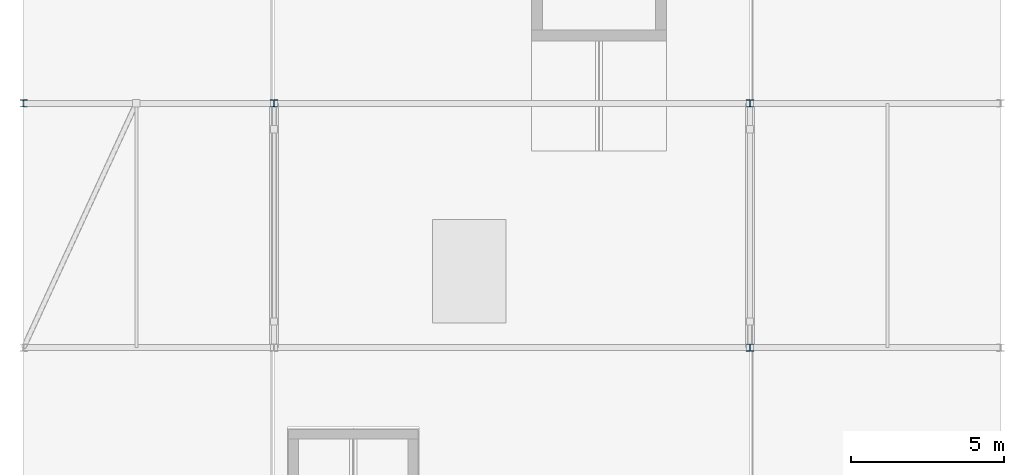
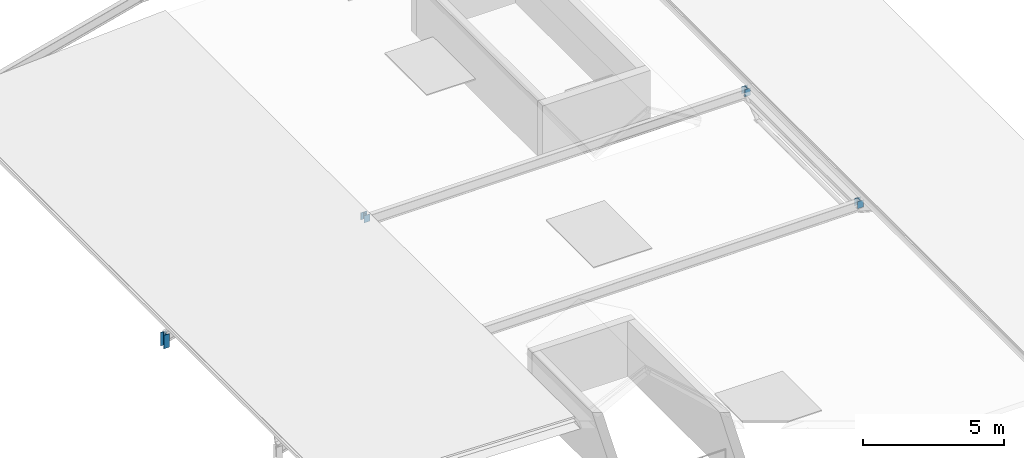
# One storey, part 3 of 8: 4 members.
"""IFC4 building model written with IfcOpenShell, lengths in metres."""

from ifc_helpers import new_model, si_unit, direction, frame, origin, origin_2d, place, context, subcontext, project, spatial, i_section, extrude, material, material_profile, profile_set, type_object, element, save


model = new_model("IFC4")

# Units and contexts
model_context = context("Model", 3, precision=1e-05, world=origin(), true_north=direction((0.0, 1.0)))
body_context = subcontext(model_context, "Body", "Model", "MODEL_VIEW")
ifc_project = project(units=[si_unit("LENGTHUNIT", "METRE"), si_unit("AREAUNIT", "SQUARE_METRE"), si_unit("VOLUMEUNIT", "CUBIC_METRE"), si_unit("PLANEANGLEUNIT", "RADIAN"), si_unit("MASSUNIT", "GRAM", prefix="KILO")], contexts=[model_context])

# Site, building, storey
site_placement = place(None, origin())
site = spatial("IfcSite", under=ifc_project, at=site_placement, CompositionType="ELEMENT")
building_placement = place(site_placement, origin())
building = spatial("IfcBuilding", under=site, at=building_placement, Name="Kenh Van Central Station", CompositionType="ELEMENT")
storey_placement = place(building_placement, frame((0.0, 0.0, 27.60009765625)))
storey = spatial("IfcBuildingStorey", under=building, at=storey_placement, Name="RF", CompositionType="ELEMENT", Elevation=27.60009765625)

# Members
ifc_material = material(Name="Steel S355", Category="steel")
ifc_material_profile = material_profile(ifc_material, i_section(OverallWidth=0.239990234375, OverallDepth=0.22998046875, WebThickness=0.007568359375, FlangeThickness=0.011962890625, FilletRadius=0.02099609375, at=origin_2d()), Name="HEA 240")
ifc_profile_set = profile_set([ifc_material_profile], Name="Steel S355")
member_type = type_object("IfcMemberType", Name="MEM-ROOF-POST240", PredefinedType="POST", material=ifc_profile_set)
member_1_placement = place(storey_placement, frame((167.800048828125, 40.0, 1.63427734375), z_axis=(0.0, 0.0, 1.0), x_axis=(1.0, 0.0, 0.0)))
element("IfcMember", 1, at=member_1_placement, inside=storey, type_object=member_type, Name="RF crown skylight post 207", PredefinedType="POST", context=body_context, shape_type="SweptSolid", body=[
    extrude(i_section(OverallWidth=0.239990234375, OverallDepth=0.22998046875, WebThickness=0.007568359375, FlangeThickness=0.011962890625, FilletRadius=0.02099609375, at=origin_2d()), origin(), (0.0, 0.0, 1.0), 0.310546875),
])
member_2_placement = place(storey_placement, frame((144.0, 48.0, -0.9501953125), z_axis=(0.0, 0.0, 1.0), x_axis=(1.0, 0.0, 0.0)))
element("IfcMember", 2, at=member_2_placement, inside=storey, type_object=member_type, Name="RF roof eave post 210", PredefinedType="POST", context=body_context, shape_type="SweptSolid", body=[
    extrude(i_section(OverallWidth=0.239990234375, OverallDepth=0.22998046875, WebThickness=0.007568359375, FlangeThickness=0.011962890625, FilletRadius=0.02099609375, at=origin_2d()), origin(), (0.0, 0.0, 1.0), 0.58447265625),
])
for number, where, z_axis, x_axis, name in (
    (3, (152.199951171875, 48.0, 1.63427734375), (0.0, 0.0, 1.0), (1.0, 0.0, 0.0), "RF crown skylight post 210"),
    (4, (167.800048828125, 48.0, 1.63427734375), (0.0, 0.0, 1.0), (1.0, 0.0, 0.0), "RF crown skylight post 210"),
):
    element("IfcMember", number, at=place(storey_placement, frame(where, z_axis=z_axis, x_axis=x_axis)), inside=storey, type_object=member_type, Name=name, PredefinedType="POST", context=body_context, shape_type="SweptSolid", body=[
        extrude(i_section(OverallWidth=0.239990234375, OverallDepth=0.22998046875, WebThickness=0.007568359375, FlangeThickness=0.011962890625, FilletRadius=0.02099609375, at=origin_2d()), origin(), (0.0, 0.0, 1.0), 0.310546875),
    ])

save(model, "model.ifc")
